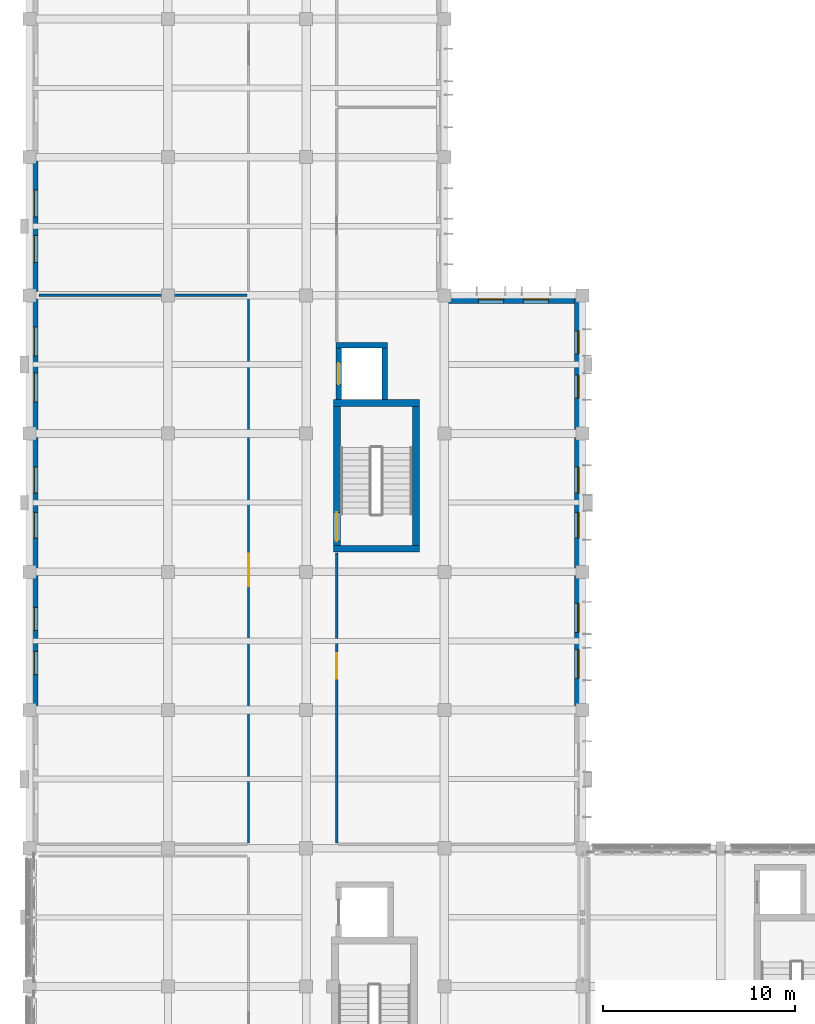
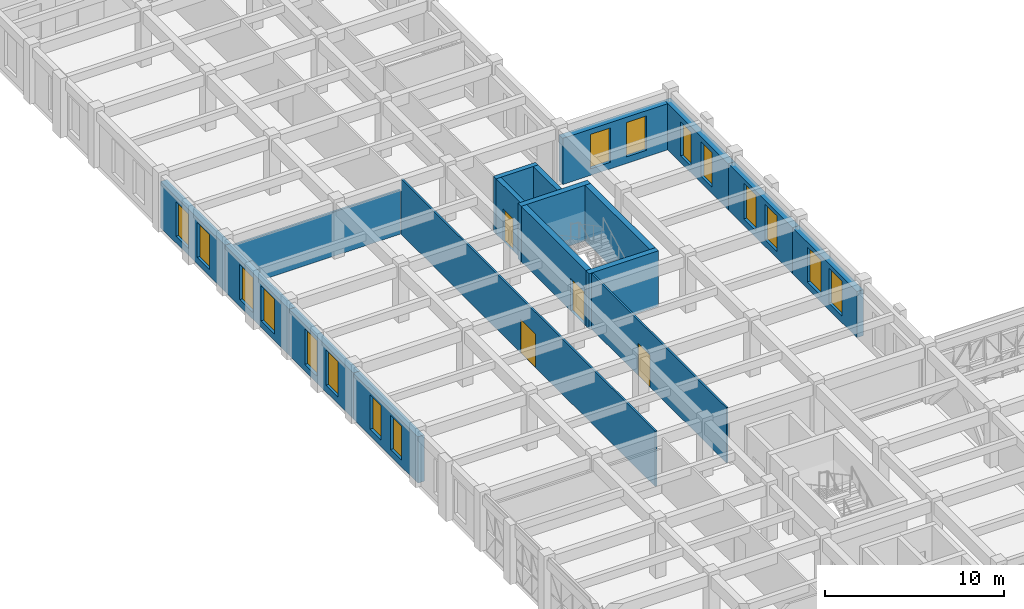
# One storey, part 46 of 88: 18 walls, 16 windows, 4 doors, 20 openings.
"""IFC4 building model written with IfcOpenShell, lengths in metres."""

from ifc_helpers import new_model, si_unit, direction, frame, frame_2d, origin, place, context, subcontext, project, spatial, rectangle, extrude, material, layer, layer_set, type_object, element, fill, save


model = new_model("IFC4")

# Units and contexts
model_context = context("Model", 3, precision=1e-05, world=origin(), true_north=direction((0.0, 1.0)))
body_context = subcontext(model_context, "Body", "Model", "MODEL_VIEW")
ifc_project = project(units=[si_unit("LENGTHUNIT", "METRE"), si_unit("AREAUNIT", "SQUARE_METRE"), si_unit("VOLUMEUNIT", "CUBIC_METRE"), si_unit("PLANEANGLEUNIT", "RADIAN"), si_unit("MASSUNIT", "GRAM", prefix="KILO")], contexts=[model_context])

# Site, building, storey
site_placement = place(None, origin())
site = spatial("IfcSite", under=ifc_project, at=site_placement, CompositionType="ELEMENT")
building_placement = place(site_placement, origin())
building = spatial("IfcBuilding", under=site, at=building_placement, Name="Alvorim Cloister Faculty of Sciences", CompositionType="ELEMENT")
storey_placement = place(building_placement, frame((0.0, 0.0, 4.5)))
storey = spatial("IfcBuildingStorey", under=building, at=storey_placement, Name="L01", CompositionType="ELEMENT", Elevation=4.5)

# Wall, openings, windows
ifc_material_1 = material(Name="Maua Grey Granite Stone", Category="masonry")
ifc_layer_1 = layer(ifc_material_1, 0.419921875)
ifc_layer_set_1 = layer_set([ifc_layer_1], Name="Maua Grey Granite Stone")
wall_type_1 = type_object("IfcWallType", Name="WL-EXT-GRN-420", PredefinedType="SOLIDWALL", material=ifc_layer_set_1)
wall_1_placement = place(storey_placement, frame((0.2099609375, 63.60009765625, 0.0), z_axis=(0.0, 0.0, 1.0), x_axis=(0.0, 1.0, 0.0)))
wall_1 = element("IfcWall", 1, at=wall_1_placement, inside=storey, type_object=wall_type_1, Name="L01 Exterior Wall WL-0108", PredefinedType="SOLIDWALL", context=body_context, shape_type="SweptSolid", body=[
    extrude(rectangle(XDim=7.199951171875, YDim=0.419921875, at=frame_2d((3.60009765625, 0.0))), origin(), (0.0, 0.0, 1.0), 3.159912109375),
])
opening_1_placement = place(wall_1_placement, frame((1.85009765625, 0.0, 0.449951171875)))
opening_1 = element("IfcOpeningElement", 2, at=opening_1_placement, cuts=wall_1, Name="Opening W-22", PredefinedType="OPENING", context=body_context, shape_type="SweptSolid", body=[
    extrude(rectangle(XDim=1.199951171875, YDim=2.35009765625, at=frame_2d((0.60009765625, 1.175048828125))), frame((0.0, 0.221923828125, 0.0), z_axis=(0.0, -1.0, 0.0), x_axis=(1.0, 0.0, 0.0)), (0.0, 0.0, 1.0), 0.44384765625),
])
opening_2_placement = place(wall_1_placement, frame((4.14990234375, 0.0, 0.449951171875)))
opening_2 = element("IfcOpeningElement", 3, at=opening_2_placement, cuts=wall_1, Name="Opening W-22", PredefinedType="OPENING", context=body_context, shape_type="SweptSolid", body=[
    extrude(rectangle(XDim=1.199951171875, YDim=2.35009765625, at=frame_2d((0.60009765625, 1.175048828125))), frame((0.0, 0.221923828125, 0.0), z_axis=(0.0, -1.0, 0.0), x_axis=(1.0, 0.0, 0.0)), (0.0, 0.0, 1.0), 0.44384765625),
])
ifc_material_2 = material(Name="Double Low-E Laminated Glass", Category="glass")
window_type_1 = type_object("IfcWindowType", Name="WN-OFF-1200x2350", PartitioningType="SINGLE_PANEL", PredefinedType="WINDOW", material=ifc_material_2)
window_1_placement = place(opening_1_placement, origin())
window_1 = element("IfcWindow", 4, at=window_1_placement, inside=storey, type_object=window_type_1, Name="L01 Gothic Lancet Window WN-0132", OverallHeight=2.35009765625, OverallWidth=1.199951171875, PartitioningType="SINGLE_PANEL", PredefinedType="WINDOW", context=body_context, shape_type="SweptSolid", body=[
    extrude(rectangle(XDim=1.199951171875, YDim=2.35009765625, at=frame_2d((0.60009765625, 1.175048828125))), frame((0.0, 0.030029296875, 0.0), z_axis=(0.0, -1.0, 0.0), x_axis=(1.0, 0.0, 0.0)), (0.0, 0.0, 1.0), 0.06005859375),
])
fill(opening_1, window_1)
window_2_placement = place(opening_2_placement, origin())
window_2 = element("IfcWindow", 5, at=window_2_placement, inside=storey, type_object=window_type_1, Name="L01 Gothic Lancet Window WN-0133", OverallHeight=2.35009765625, OverallWidth=1.199951171875, PartitioningType="SINGLE_PANEL", PredefinedType="WINDOW", context=body_context, shape_type="SweptSolid", body=[
    extrude(rectangle(XDim=1.199951171875, YDim=2.35009765625, at=frame_2d((0.60009765625, 1.175048828125))), frame((0.0, 0.030029296875, 0.0), z_axis=(0.0, -1.0, 0.0), x_axis=(1.0, 0.0, 0.0)), (0.0, 0.0, 1.0), 0.06005859375),
])
fill(opening_2, window_2)

wall_2_placement = place(storey_placement, frame((0.2099609375, 70.800048828125, 0.0), z_axis=(0.0, 0.0, 1.0), x_axis=(0.0, 1.0, 0.0)))
wall_2 = element("IfcWall", 6, at=wall_2_placement, inside=storey, type_object=wall_type_1, Name="L01 Exterior Wall WL-0109", PredefinedType="SOLIDWALL", context=body_context, shape_type="SweptSolid", body=[
    extrude(rectangle(XDim=7.199951171875, YDim=0.419921875, at=frame_2d((3.60009765625, 0.0))), origin(), (0.0, 0.0, 1.0), 3.159912109375),
])
opening_3_placement = place(wall_2_placement, frame((1.75, 0.0, 0.449951171875)))
opening_3 = element("IfcOpeningElement", 7, at=opening_3_placement, cuts=wall_2, Name="Opening W-18", PredefinedType="OPENING", context=body_context, shape_type="SweptSolid", body=[
    extrude(rectangle(XDim=1.35009765625, YDim=2.449951171875, at=frame_2d((0.675048828125, 1.22509765625))), frame((0.0, 0.221923828125, 0.0), z_axis=(0.0, -1.0, 0.0), x_axis=(1.0, 0.0, 0.0)), (0.0, 0.0, 1.0), 0.44384765625),
])
opening_4_placement = place(wall_2_placement, frame((4.10009765625, 0.0, 0.449951171875)))
opening_4 = element("IfcOpeningElement", 8, at=opening_4_placement, cuts=wall_2, Name="Opening W-18", PredefinedType="OPENING", context=body_context, shape_type="SweptSolid", body=[
    extrude(rectangle(XDim=1.35009765625, YDim=2.449951171875, at=frame_2d((0.675048828125, 1.22509765625))), frame((0.0, 0.221923828125, 0.0), z_axis=(0.0, -1.0, 0.0), x_axis=(1.0, 0.0, 0.0)), (0.0, 0.0, 1.0), 0.44384765625),
])
window_type_2 = type_object("IfcWindowType", Name="WN-LAB-1350x2450", PartitioningType="SINGLE_PANEL", PredefinedType="WINDOW", material=ifc_material_2)
window_3_placement = place(opening_3_placement, origin())
window_3 = element("IfcWindow", 9, at=window_3_placement, inside=storey, type_object=window_type_2, Name="L01 Gothic Lancet Window WN-0134", OverallHeight=2.449951171875, OverallWidth=1.35009765625, PartitioningType="SINGLE_PANEL", PredefinedType="WINDOW", context=body_context, shape_type="SweptSolid", body=[
    extrude(rectangle(XDim=1.35009765625, YDim=2.449951171875, at=frame_2d((0.675048828125, 1.22509765625))), frame((0.0, 0.030029296875, 0.0), z_axis=(0.0, -1.0, 0.0), x_axis=(1.0, 0.0, 0.0)), (0.0, 0.0, 1.0), 0.06005859375),
])
fill(opening_3, window_3)
window_4_placement = place(opening_4_placement, origin())
window_4 = element("IfcWindow", 10, at=window_4_placement, inside=storey, type_object=window_type_2, Name="L01 Gothic Lancet Window WN-0135", OverallHeight=2.449951171875, OverallWidth=1.35009765625, PartitioningType="SINGLE_PANEL", PredefinedType="WINDOW", context=body_context, shape_type="SweptSolid", body=[
    extrude(rectangle(XDim=1.35009765625, YDim=2.449951171875, at=frame_2d((0.675048828125, 1.22509765625))), frame((0.0, 0.030029296875, 0.0), z_axis=(0.0, -1.0, 0.0), x_axis=(1.0, 0.0, 0.0)), (0.0, 0.0, 1.0), 0.06005859375),
])
fill(opening_4, window_4)

wall_3_placement = place(storey_placement, frame((0.2099609375, 78.0, 0.0), z_axis=(0.0, 0.0, 1.0), x_axis=(0.0, 1.0, 0.0)))
wall_3 = element("IfcWall", 11, at=wall_3_placement, inside=storey, type_object=wall_type_1, Name="L01 Exterior Wall WL-0110", PredefinedType="SOLIDWALL", context=body_context, shape_type="SweptSolid", body=[
    extrude(rectangle(XDim=7.199951171875, YDim=0.419921875, at=frame_2d((3.60009765625, 0.0))), origin(), (0.0, 0.0, 1.0), 3.159912109375),
])
opening_5_placement = place(wall_3_placement, frame((1.64990234375, 0.0, 0.449951171875)))
opening_5 = element("IfcOpeningElement", 12, at=opening_5_placement, cuts=wall_3, Name="Opening W-19", PredefinedType="OPENING", context=body_context, shape_type="SweptSolid", body=[
    extrude(rectangle(XDim=1.5, YDim=2.39990234375, at=frame_2d((0.75, 1.199951171875))), frame((0.0, 0.221923828125, 0.0), z_axis=(0.0, -1.0, 0.0), x_axis=(1.0, 0.0, 0.0)), (0.0, 0.0, 1.0), 0.44384765625),
])
opening_6_placement = place(wall_3_placement, frame((4.050048828125, 0.0, 0.449951171875)))
opening_6 = element("IfcOpeningElement", 13, at=opening_6_placement, cuts=wall_3, Name="Opening W-19", PredefinedType="OPENING", context=body_context, shape_type="SweptSolid", body=[
    extrude(rectangle(XDim=1.5, YDim=2.39990234375, at=frame_2d((0.75, 1.199951171875))), frame((0.0, 0.221923828125, 0.0), z_axis=(0.0, -1.0, 0.0), x_axis=(1.0, 0.0, 0.0)), (0.0, 0.0, 1.0), 0.44384765625),
])
window_type_3 = type_object("IfcWindowType", Name="WN-OFF-1500x2400", PartitioningType="SINGLE_PANEL", PredefinedType="WINDOW", material=ifc_material_2)
window_5_placement = place(opening_5_placement, origin())
window_5 = element("IfcWindow", 14, at=window_5_placement, inside=storey, type_object=window_type_3, Name="L01 Gothic Lancet Window WN-0136", OverallHeight=2.39990234375, OverallWidth=1.5, PartitioningType="SINGLE_PANEL", PredefinedType="WINDOW", context=body_context, shape_type="SweptSolid", body=[
    extrude(rectangle(XDim=1.5, YDim=2.39990234375, at=frame_2d((0.75, 1.199951171875))), frame((0.0, 0.030029296875, 0.0), z_axis=(0.0, -1.0, 0.0), x_axis=(1.0, 0.0, 0.0)), (0.0, 0.0, 1.0), 0.06005859375),
])
fill(opening_5, window_5)
window_6_placement = place(opening_6_placement, origin())
window_6 = element("IfcWindow", 15, at=window_6_placement, inside=storey, type_object=window_type_3, Name="L01 Gothic Lancet Window WN-0137", OverallHeight=2.39990234375, OverallWidth=1.5, PartitioningType="SINGLE_PANEL", PredefinedType="WINDOW", context=body_context, shape_type="SweptSolid", body=[
    extrude(rectangle(XDim=1.5, YDim=2.39990234375, at=frame_2d((0.75, 1.199951171875))), frame((0.0, 0.030029296875, 0.0), z_axis=(0.0, -1.0, 0.0), x_axis=(1.0, 0.0, 0.0)), (0.0, 0.0, 1.0), 0.06005859375),
])
fill(opening_6, window_6)

wall_4_placement = place(storey_placement, frame((0.2099609375, 85.199951171875, 0.0), z_axis=(0.0, 0.0, 1.0), x_axis=(0.0, 1.0, 0.0)))
wall_4 = element("IfcWall", 16, at=wall_4_placement, inside=storey, type_object=wall_type_1, Name="L01 Exterior Wall WL-0111", PredefinedType="SOLIDWALL", context=body_context, shape_type="SweptSolid", body=[
    extrude(rectangle(XDim=7.199951171875, YDim=0.419921875, at=frame_2d((3.60009765625, 0.0))), origin(), (0.0, 0.0, 1.0), 3.159912109375),
])
opening_7_placement = place(wall_4_placement, frame((1.716796875, 0.0, 0.449951171875)))
opening_7 = element("IfcOpeningElement", 17, at=opening_7_placement, cuts=wall_4, Name="Opening W-20", PredefinedType="OPENING", context=body_context, shape_type="SweptSolid", body=[
    extrude(rectangle(XDim=1.39990234375, YDim=2.3798828125, at=frame_2d((0.699951171875, 1.18994140625))), frame((0.0, 0.221923828125, 0.0), z_axis=(0.0, -1.0, 0.0), x_axis=(1.0, 0.0, 0.0)), (0.0, 0.0, 1.0), 0.44384765625),
])
opening_8_placement = place(wall_4_placement, frame((4.083251953125, 0.0, 0.449951171875)))
opening_8 = element("IfcOpeningElement", 18, at=opening_8_placement, cuts=wall_4, Name="Opening W-20", PredefinedType="OPENING", context=body_context, shape_type="SweptSolid", body=[
    extrude(rectangle(XDim=1.39990234375, YDim=2.3798828125, at=frame_2d((0.699951171875, 1.18994140625))), frame((0.0, 0.221923828125, 0.0), z_axis=(0.0, -1.0, 0.0), x_axis=(1.0, 0.0, 0.0)), (0.0, 0.0, 1.0), 0.44384765625),
])
window_type_4 = type_object("IfcWindowType", Name="WN-OFF-1400x2380", PartitioningType="SINGLE_PANEL", PredefinedType="WINDOW", material=ifc_material_2)
window_7_placement = place(opening_7_placement, origin())
window_7 = element("IfcWindow", 19, at=window_7_placement, inside=storey, type_object=window_type_4, Name="L01 Gothic Lancet Window WN-0138", OverallHeight=2.3798828125, OverallWidth=1.39990234375, PartitioningType="SINGLE_PANEL", PredefinedType="WINDOW", context=body_context, shape_type="SweptSolid", body=[
    extrude(rectangle(XDim=1.39990234375, YDim=2.3798828125, at=frame_2d((0.699951171875, 1.18994140625))), frame((0.0, 0.030029296875, 0.0), z_axis=(0.0, -1.0, 0.0), x_axis=(1.0, 0.0, 0.0)), (0.0, 0.0, 1.0), 0.06005859375),
])
fill(opening_7, window_7)
window_8_placement = place(opening_8_placement, origin())
window_8 = element("IfcWindow", 20, at=window_8_placement, inside=storey, type_object=window_type_4, Name="L01 Gothic Lancet Window WN-0139", OverallHeight=2.3798828125, OverallWidth=1.39990234375, PartitioningType="SINGLE_PANEL", PredefinedType="WINDOW", context=body_context, shape_type="SweptSolid", body=[
    extrude(rectangle(XDim=1.39990234375, YDim=2.3798828125, at=frame_2d((0.699951171875, 1.18994140625))), frame((0.0, 0.030029296875, 0.0), z_axis=(0.0, -1.0, 0.0), x_axis=(1.0, 0.0, 0.0)), (0.0, 0.0, 1.0), 0.06005859375),
])
fill(opening_8, window_8)

wall_5_placement = place(storey_placement, frame((21.60009765625, 84.989990234375, 0.0), z_axis=(0.0, 0.0, 1.0), x_axis=(1.0, 0.0, 0.0)))
wall_5 = element("IfcWall", 21, at=wall_5_placement, inside=storey, type_object=wall_type_1, Name="L01 Exterior Wall WL-0122", PredefinedType="SOLIDWALL", context=body_context, shape_type="SweptSolid", body=[
    extrude(rectangle(XDim=7.199951171875, YDim=0.419921875, at=frame_2d((3.60009765625, 0.0))), origin(), (0.0, 0.0, 1.0), 3.159912109375),
])
opening_9_placement = place(wall_5_placement, frame((1.783203125, 0.0, 0.449951171875)))
opening_9 = element("IfcOpeningElement", 22, at=opening_9_placement, cuts=wall_5, Name="Opening W-21", PredefinedType="OPENING", context=body_context, shape_type="SweptSolid", body=[
    extrude(rectangle(XDim=1.300048828125, YDim=2.35009765625, at=frame_2d((0.64990234375, 1.175048828125))), frame((0.0, 0.221923828125, 0.0), z_axis=(0.0, -1.0, 0.0), x_axis=(1.0, 0.0, 0.0)), (0.0, 0.0, 1.0), 0.44384765625),
])
opening_10_placement = place(wall_5_placement, frame((4.11669921875, 0.0, 0.449951171875)))
opening_10 = element("IfcOpeningElement", 23, at=opening_10_placement, cuts=wall_5, Name="Opening W-21", PredefinedType="OPENING", context=body_context, shape_type="SweptSolid", body=[
    extrude(rectangle(XDim=1.300048828125, YDim=2.35009765625, at=frame_2d((0.64990234375, 1.175048828125))), frame((0.0, 0.221923828125, 0.0), z_axis=(0.0, -1.0, 0.0), x_axis=(1.0, 0.0, 0.0)), (0.0, 0.0, 1.0), 0.44384765625),
])
window_type_5 = type_object("IfcWindowType", Name="WN-OFF-1300x2350", PartitioningType="SINGLE_PANEL", PredefinedType="WINDOW", material=ifc_material_2)
window_9_placement = place(opening_9_placement, origin())
window_9 = element("IfcWindow", 24, at=window_9_placement, inside=storey, type_object=window_type_5, Name="L01 Gothic Lancet Window WN-0159", OverallHeight=2.35009765625, OverallWidth=1.300048828125, PartitioningType="SINGLE_PANEL", PredefinedType="WINDOW", context=body_context, shape_type="SweptSolid", body=[
    extrude(rectangle(XDim=1.300048828125, YDim=2.35009765625, at=frame_2d((0.64990234375, 1.175048828125))), frame((0.0, 0.030029296875, 0.0), z_axis=(0.0, -1.0, 0.0), x_axis=(1.0, 0.0, 0.0)), (0.0, 0.0, 1.0), 0.06005859375),
])
fill(opening_9, window_9)
window_10_placement = place(opening_10_placement, origin())
window_10 = element("IfcWindow", 25, at=window_10_placement, inside=storey, type_object=window_type_5, Name="L01 Gothic Lancet Window WN-0160", OverallHeight=2.35009765625, OverallWidth=1.300048828125, PartitioningType="SINGLE_PANEL", PredefinedType="WINDOW", context=body_context, shape_type="SweptSolid", body=[
    extrude(rectangle(XDim=1.300048828125, YDim=2.35009765625, at=frame_2d((0.64990234375, 1.175048828125))), frame((0.0, 0.030029296875, 0.0), z_axis=(0.0, -1.0, 0.0), x_axis=(1.0, 0.0, 0.0)), (0.0, 0.0, 1.0), 0.06005859375),
])
fill(opening_10, window_10)

wall_6_placement = place(storey_placement, frame((28.590087890625, 78.0, 0.0), z_axis=(0.0, 0.0, 1.0), x_axis=(0.0, 1.0, 0.0)))
wall_6 = element("IfcWall", 26, at=wall_6_placement, inside=storey, type_object=wall_type_1, Name="L01 Exterior Wall WL-0123", PredefinedType="SOLIDWALL", context=body_context, shape_type="SweptSolid", body=[
    extrude(rectangle(XDim=7.199951171875, YDim=0.419921875, at=frame_2d((3.60009765625, 0.0))), origin(), (0.0, 0.0, 1.0), 3.159912109375),
])
opening_11_placement = place(wall_6_placement, frame((1.85009765625, 0.0, 0.449951171875)))
opening_11 = element("IfcOpeningElement", 27, at=opening_11_placement, cuts=wall_6, Name="Opening W-22", PredefinedType="OPENING", context=body_context, shape_type="SweptSolid", body=[
    extrude(rectangle(XDim=1.199951171875, YDim=2.35009765625, at=frame_2d((0.60009765625, 1.175048828125))), frame((0.0, 0.221923828125, 0.0), z_axis=(0.0, -1.0, 0.0), x_axis=(1.0, 0.0, 0.0)), (0.0, 0.0, 1.0), 0.44384765625),
])
opening_12_placement = place(wall_6_placement, frame((4.14990234375, 0.0, 0.449951171875)))
opening_12 = element("IfcOpeningElement", 28, at=opening_12_placement, cuts=wall_6, Name="Opening W-22", PredefinedType="OPENING", context=body_context, shape_type="SweptSolid", body=[
    extrude(rectangle(XDim=1.199951171875, YDim=2.35009765625, at=frame_2d((0.60009765625, 1.175048828125))), frame((0.0, 0.221923828125, 0.0), z_axis=(0.0, -1.0, 0.0), x_axis=(1.0, 0.0, 0.0)), (0.0, 0.0, 1.0), 0.44384765625),
])
window_11_placement = place(opening_11_placement, origin())
window_11 = element("IfcWindow", 29, at=window_11_placement, inside=storey, type_object=window_type_1, Name="L01 Gothic Lancet Window WN-0161", OverallHeight=2.35009765625, OverallWidth=1.199951171875, PartitioningType="SINGLE_PANEL", PredefinedType="WINDOW", context=body_context, shape_type="SweptSolid", body=[
    extrude(rectangle(XDim=1.199951171875, YDim=2.35009765625, at=frame_2d((0.60009765625, 1.175048828125))), frame((0.0, 0.030029296875, 0.0), z_axis=(0.0, -1.0, 0.0), x_axis=(1.0, 0.0, 0.0)), (0.0, 0.0, 1.0), 0.06005859375),
])
fill(opening_11, window_11)
window_12_placement = place(opening_12_placement, origin())
window_12 = element("IfcWindow", 30, at=window_12_placement, inside=storey, type_object=window_type_1, Name="L01 Gothic Lancet Window WN-0162", OverallHeight=2.35009765625, OverallWidth=1.199951171875, PartitioningType="SINGLE_PANEL", PredefinedType="WINDOW", context=body_context, shape_type="SweptSolid", body=[
    extrude(rectangle(XDim=1.199951171875, YDim=2.35009765625, at=frame_2d((0.60009765625, 1.175048828125))), frame((0.0, 0.030029296875, 0.0), z_axis=(0.0, -1.0, 0.0), x_axis=(1.0, 0.0, 0.0)), (0.0, 0.0, 1.0), 0.06005859375),
])
fill(opening_12, window_12)

wall_7_placement = place(storey_placement, frame((28.590087890625, 70.800048828125, 0.0), z_axis=(0.0, 0.0, 1.0), x_axis=(0.0, 1.0, 0.0)))
wall_7 = element("IfcWall", 31, at=wall_7_placement, inside=storey, type_object=wall_type_1, Name="L01 Exterior Wall WL-0124", PredefinedType="SOLIDWALL", context=body_context, shape_type="SweptSolid", body=[
    extrude(rectangle(XDim=7.199951171875, YDim=0.419921875, at=frame_2d((3.60009765625, 0.0))), origin(), (0.0, 0.0, 1.0), 3.159912109375),
])
opening_13_placement = place(wall_7_placement, frame((1.75, 0.0, 0.449951171875)))
opening_13 = element("IfcOpeningElement", 32, at=opening_13_placement, cuts=wall_7, Name="Opening W-18", PredefinedType="OPENING", context=body_context, shape_type="SweptSolid", body=[
    extrude(rectangle(XDim=1.35009765625, YDim=2.449951171875, at=frame_2d((0.675048828125, 1.22509765625))), frame((0.0, 0.221923828125, 0.0), z_axis=(0.0, -1.0, 0.0), x_axis=(1.0, 0.0, 0.0)), (0.0, 0.0, 1.0), 0.44384765625),
])
opening_14_placement = place(wall_7_placement, frame((4.10009765625, 0.0, 0.449951171875)))
opening_14 = element("IfcOpeningElement", 33, at=opening_14_placement, cuts=wall_7, Name="Opening W-18", PredefinedType="OPENING", context=body_context, shape_type="SweptSolid", body=[
    extrude(rectangle(XDim=1.35009765625, YDim=2.449951171875, at=frame_2d((0.675048828125, 1.22509765625))), frame((0.0, 0.221923828125, 0.0), z_axis=(0.0, -1.0, 0.0), x_axis=(1.0, 0.0, 0.0)), (0.0, 0.0, 1.0), 0.44384765625),
])
window_13_placement = place(opening_13_placement, origin())
window_13 = element("IfcWindow", 34, at=window_13_placement, inside=storey, type_object=window_type_2, Name="L01 Gothic Lancet Window WN-0163", OverallHeight=2.449951171875, OverallWidth=1.35009765625, PartitioningType="SINGLE_PANEL", PredefinedType="WINDOW", context=body_context, shape_type="SweptSolid", body=[
    extrude(rectangle(XDim=1.35009765625, YDim=2.449951171875, at=frame_2d((0.675048828125, 1.22509765625))), frame((0.0, 0.030029296875, 0.0), z_axis=(0.0, -1.0, 0.0), x_axis=(1.0, 0.0, 0.0)), (0.0, 0.0, 1.0), 0.06005859375),
])
fill(opening_13, window_13)
window_14_placement = place(opening_14_placement, origin())
window_14 = element("IfcWindow", 35, at=window_14_placement, inside=storey, type_object=window_type_2, Name="L01 Gothic Lancet Window WN-0164", OverallHeight=2.449951171875, OverallWidth=1.35009765625, PartitioningType="SINGLE_PANEL", PredefinedType="WINDOW", context=body_context, shape_type="SweptSolid", body=[
    extrude(rectangle(XDim=1.35009765625, YDim=2.449951171875, at=frame_2d((0.675048828125, 1.22509765625))), frame((0.0, 0.030029296875, 0.0), z_axis=(0.0, -1.0, 0.0), x_axis=(1.0, 0.0, 0.0)), (0.0, 0.0, 1.0), 0.06005859375),
])
fill(opening_14, window_14)

wall_8_placement = place(storey_placement, frame((28.590087890625, 63.60009765625, 0.0), z_axis=(0.0, 0.0, 1.0), x_axis=(0.0, 1.0, 0.0)))
wall_8 = element("IfcWall", 36, at=wall_8_placement, inside=storey, type_object=wall_type_1, Name="L01 Exterior Wall WL-0125", PredefinedType="SOLIDWALL", context=body_context, shape_type="SweptSolid", body=[
    extrude(rectangle(XDim=7.199951171875, YDim=0.419921875, at=frame_2d((3.60009765625, 0.0))), origin(), (0.0, 0.0, 1.0), 3.159912109375),
])
opening_15_placement = place(wall_8_placement, frame((1.64990234375, 0.0, 0.449951171875)))
opening_15 = element("IfcOpeningElement", 37, at=opening_15_placement, cuts=wall_8, Name="Opening W-19", PredefinedType="OPENING", context=body_context, shape_type="SweptSolid", body=[
    extrude(rectangle(XDim=1.5, YDim=2.39990234375, at=frame_2d((0.75, 1.199951171875))), frame((0.0, 0.221923828125, 0.0), z_axis=(0.0, -1.0, 0.0), x_axis=(1.0, 0.0, 0.0)), (0.0, 0.0, 1.0), 0.44384765625),
])
opening_16_placement = place(wall_8_placement, frame((4.050048828125, 0.0, 0.449951171875)))
opening_16 = element("IfcOpeningElement", 38, at=opening_16_placement, cuts=wall_8, Name="Opening W-19", PredefinedType="OPENING", context=body_context, shape_type="SweptSolid", body=[
    extrude(rectangle(XDim=1.5, YDim=2.39990234375, at=frame_2d((0.75, 1.199951171875))), frame((0.0, 0.221923828125, 0.0), z_axis=(0.0, -1.0, 0.0), x_axis=(1.0, 0.0, 0.0)), (0.0, 0.0, 1.0), 0.44384765625),
])
window_15_placement = place(opening_15_placement, origin())
window_15 = element("IfcWindow", 39, at=window_15_placement, inside=storey, type_object=window_type_3, Name="L01 Gothic Lancet Window WN-0165", OverallHeight=2.39990234375, OverallWidth=1.5, PartitioningType="SINGLE_PANEL", PredefinedType="WINDOW", context=body_context, shape_type="SweptSolid", body=[
    extrude(rectangle(XDim=1.5, YDim=2.39990234375, at=frame_2d((0.75, 1.199951171875))), frame((0.0, 0.030029296875, 0.0), z_axis=(0.0, -1.0, 0.0), x_axis=(1.0, 0.0, 0.0)), (0.0, 0.0, 1.0), 0.06005859375),
])
fill(opening_15, window_15)
window_16_placement = place(opening_16_placement, origin())
window_16 = element("IfcWindow", 40, at=window_16_placement, inside=storey, type_object=window_type_3, Name="L01 Gothic Lancet Window WN-0166", OverallHeight=2.39990234375, OverallWidth=1.5, PartitioningType="SINGLE_PANEL", PredefinedType="WINDOW", context=body_context, shape_type="SweptSolid", body=[
    extrude(rectangle(XDim=1.5, YDim=2.39990234375, at=frame_2d((0.75, 1.199951171875))), frame((0.0, 0.030029296875, 0.0), z_axis=(0.0, -1.0, 0.0), x_axis=(1.0, 0.0, 0.0)), (0.0, 0.0, 1.0), 0.06005859375),
])
fill(opening_16, window_16)

# Wall, opening, door
ifc_material_3 = material(Name="Acoustic Gypsum Stud Partition", Category="gypsum")
ifc_layer_2 = layer(ifc_material_3, 0.1201171875)
ifc_layer_set_2 = layer_set([ifc_layer_2], Name="Acoustic Gypsum Stud Partition")
wall_type_2 = type_object("IfcWallType", Name="WL-PRT-120", PredefinedType="PARTITIONING", material=ifc_layer_set_2)
wall_9_placement = place(storey_placement, frame((11.39990234375, 56.679931640625, 0.0), z_axis=(0.0, 0.0, 1.0), x_axis=(0.0, 1.0, 0.0)))
wall_9 = element("IfcWall", 41, at=wall_9_placement, inside=storey, type_object=wall_type_2, Name="L01 Periodicals and Reference Reading Room Partition IWL-0521", PredefinedType="PARTITIONING", context=body_context, shape_type="SweptSolid", body=[
    extrude(rectangle(XDim=28.440185546875, YDim=0.1201171875, at=frame_2d((14.22021484375, 0.0))), origin(), (0.0, 0.0, 1.0), 3.77490234375),
])
opening_17_placement = place(wall_9_placement, frame((13.3701171875, 0.0, 0.0)))
opening_17 = element("IfcOpeningElement", 42, at=opening_17_placement, cuts=wall_9, Name="Opening D-L01-111", PredefinedType="OPENING", context=body_context, shape_type="SweptSolid", body=[
    extrude(rectangle(XDim=1.699951171875, YDim=2.280029296875, at=frame_2d((0.85009765625, 1.14013671875))), frame((0.0, 0.072021484375, 0.0), z_axis=(0.0, -1.0, 0.0), x_axis=(1.0, 0.0, 0.0)), (0.0, 0.0, 1.0), 0.14404296875),
])
ifc_material_4 = material(Name="Solid Acoustic Oak Timber", Category="wood")
door_type_1 = type_object("IfcDoorType", Name="DR-HALL-1700x2280", OperationType="NOTDEFINED", PredefinedType="DOOR", material=ifc_material_4)
door_1_placement = place(opening_17_placement, origin())
door_1 = element("IfcDoor", 43, at=door_1_placement, inside=storey, type_object=door_type_1, Name="Periodicals and Reference Reading Room Door D-L01-111", OperationType="DOUBLE_DOOR_SINGLE_SWING", OverallHeight=2.280029296875, OverallWidth=1.699951171875, PredefinedType="DOOR", context=body_context, shape_type="SweptSolid", body=[
    extrude(rectangle(XDim=1.699951171875, YDim=2.280029296875, at=frame_2d((0.85009765625, 1.14013671875))), frame((0.0, 0.02490234375, 0.0), z_axis=(0.0, -1.0, 0.0), x_axis=(1.0, 0.0, 0.0)), (0.0, 0.0, 1.0), 0.050048828125),
])
fill(opening_17, door_1)

# Wall
wall_10_placement = place(storey_placement, frame((0.47998046875, 85.199951171875, 0.0), z_axis=(0.0, 0.0, 1.0), x_axis=(1.0, 0.0, 0.0)))
element("IfcWall", 44, at=wall_10_placement, inside=storey, type_object=wall_type_2, Name="L01 Periodicals and Reference Reading Room Partition IWL-0522", PredefinedType="PARTITIONING", context=body_context, shape_type="SweptSolid", body=[
    extrude(rectangle(XDim=10.840087890625, YDim=0.1201171875, at=frame_2d((5.419921875, 0.0))), origin(), (0.0, 0.0, 1.0), 3.02490234375),
])

# Wall, opening, door
wall_11_placement = place(storey_placement, frame((16.0, 56.679931640625, 0.0), z_axis=(0.0, 0.0, 1.0), x_axis=(0.0, 1.0, 0.0)))
wall_11 = element("IfcWall", 45, at=wall_11_placement, inside=storey, type_object=wall_type_2, Name="L01 Group Study Suites 105-108 Partition IWL-0524", PredefinedType="PARTITIONING", context=body_context, shape_type="SweptSolid", body=[
    extrude(rectangle(XDim=15.10009765625, YDim=0.1201171875, at=frame_2d((7.550048828125, 0.0))), origin(), (0.0, 0.0, 1.0), 3.77490234375),
])
opening_18_placement = place(wall_11_placement, frame((8.5576171875, 0.0, 0.0)))
opening_18 = element("IfcOpeningElement", 46, at=opening_18_placement, cuts=wall_11, Name="Opening D-L01-113", PredefinedType="OPENING", context=body_context, shape_type="SweptSolid", body=[
    extrude(rectangle(XDim=1.320068359375, YDim=2.199951171875, at=frame_2d((0.66015625, 1.10009765625))), frame((0.0, 0.072021484375, 0.0), z_axis=(0.0, -1.0, 0.0), x_axis=(1.0, 0.0, 0.0)), (0.0, 0.0, 1.0), 0.14404296875),
])
door_type_2 = type_object("IfcDoorType", Name="DR-SEM-1320x2200", OperationType="NOTDEFINED", PredefinedType="DOOR", material=ifc_material_4)
door_2_placement = place(opening_18_placement, origin())
door_2 = element("IfcDoor", 47, at=door_2_placement, inside=storey, type_object=door_type_2, Name="Group Study Suites 105-108 Door D-L01-113", OperationType="SINGLE_SWING_LEFT", OverallHeight=2.199951171875, OverallWidth=1.320068359375, PredefinedType="DOOR", context=body_context, shape_type="SweptSolid", body=[
    extrude(rectangle(XDim=1.320068359375, YDim=2.199951171875, at=frame_2d((0.66015625, 1.10009765625))), frame((0.0, 0.02490234375, 0.0), z_axis=(0.0, -1.0, 0.0), x_axis=(1.0, 0.0, 0.0)), (0.0, 0.0, 1.0), 0.050048828125),
])
fill(opening_18, door_2)

# Wall
ifc_material_5 = material(Name="Concrete C40", Category="concrete")
ifc_layer_3 = layer(ifc_material_5, 0.300048828125)
ifc_layer_set_3 = layer_set([ifc_layer_3], Name="Concrete C40")
wall_type_3 = type_object("IfcWallType", Name="WL-SHR-300", PredefinedType="SHEAR", material=ifc_layer_set_3)
wall_12_placement = place(storey_placement, frame((15.949951171875, 82.60009765625, 0.0), z_axis=(0.0, 0.0, 1.0), x_axis=(1.0, 0.0, 0.0)))
element("IfcWall", 48, at=wall_12_placement, inside=storey, type_object=wall_type_3, Name="L01 Lift LP-05 Shaft Wall IWL-0368", PredefinedType="SHEAR", context=body_context, shape_type="SweptSolid", body=[
    extrude(rectangle(XDim=2.699951171875, YDim=0.300048828125, at=frame_2d((1.35009765625, 0.0))), origin(), (0.0, 0.0, 1.0), 3.7900390625),
])

# Wall, opening, door
wall_13_placement = place(storey_placement, frame((16.10009765625, 79.780029296875, 0.0), z_axis=(0.0, 0.0, 1.0), x_axis=(0.0, 1.0, 0.0)))
wall_13 = element("IfcWall", 49, at=wall_13_placement, inside=storey, type_object=wall_type_3, Name="L01 Lift LP-05 Shaft Wall IWL-0369", PredefinedType="SHEAR", context=body_context, shape_type="SweptSolid", body=[
    extrude(rectangle(XDim=2.669921875, YDim=0.300048828125, at=frame_2d((1.3349609375, 0.0))), origin(), (0.0, 0.0, 1.0), 3.7900390625),
])
opening_19_placement = place(wall_13_placement, frame((0.784912109375, 0.0, 0.0)))
opening_19 = element("IfcOpeningElement", 50, at=opening_19_placement, cuts=wall_13, Name="Opening LD-053", PredefinedType="OPENING", context=body_context, shape_type="SweptSolid", body=[
    extrude(rectangle(XDim=1.10009765625, YDim=2.199951171875, at=frame_2d((0.550048828125, 1.10009765625))), frame((0.0, 0.162109375, 0.0), z_axis=(0.0, -1.0, 0.0), x_axis=(1.0, 0.0, 0.0)), (0.0, 0.0, 1.0), 0.323974609375),
])
ifc_material_6 = material(Name="Brushed Stainless Steel", Category="steel")
door_type_3 = type_object("IfcDoorType", Name="DR-LFT-1100x2200", OperationType="NOTDEFINED", PredefinedType="DOOR", material=ifc_material_6)
door_3_placement = place(opening_19_placement, origin())
door_3 = element("IfcDoor", 51, at=door_3_placement, inside=storey, type_object=door_type_3, Name="L01 Lift LP-05 Sliding Landing Door LD-053", OperationType="DOUBLE_DOOR_SLIDING", OverallHeight=2.199951171875, OverallWidth=1.10009765625, PredefinedType="DOOR", context=body_context, shape_type="SweptSolid", body=[
    extrude(rectangle(XDim=1.10009765625, YDim=2.199951171875, at=frame_2d((0.550048828125, 1.10009765625))), frame((0.0, 0.02490234375, 0.0), z_axis=(0.0, -1.0, 0.0), x_axis=(1.0, 0.0, 0.0)), (0.0, 0.0, 1.0), 0.050048828125),
])
fill(opening_19, door_3)

# Walls
wall_14_placement = place(storey_placement, frame((18.5, 79.780029296875, 0.0), z_axis=(0.0, 0.0, 1.0), x_axis=(0.0, 1.0, 0.0)))
element("IfcWall", 52, at=wall_14_placement, inside=storey, type_object=wall_type_3, Name="L01 Lift LP-05 Shaft Wall IWL-0370", PredefinedType="SHEAR", context=body_context, shape_type="SweptSolid", body=[
    extrude(rectangle(XDim=2.669921875, YDim=0.300048828125, at=frame_2d((1.3349609375, 0.0))), origin(), (0.0, 0.0, 1.0), 3.7900390625),
])
ifc_layer_4 = layer(ifc_material_5, 0.360107421875)
ifc_layer_set_4 = layer_set([ifc_layer_4], Name="Concrete C40")
wall_type_4 = type_object("IfcWallType", Name="WL-SHR-360", PredefinedType="SHEAR", material=ifc_layer_set_4)
for number, where, z_axis, x_axis, name in (
    (53, (15.820068359375, 72.0, 0.0), (0.0, 0.0, 1.0), (1.0, 0.0, 0.0), "L01 CORE K5 Shear Wall IWL-0169"),
    (54, (15.820068359375, 79.60009765625, 0.0), (0.0, 0.0, 1.0), (1.0, 0.0, 0.0), "L01 CORE K5 Shear Wall IWL-0170"),
):
    element("IfcWall", number, at=place(storey_placement, frame(where, z_axis=z_axis, x_axis=x_axis)), inside=storey, type_object=wall_type_4, Name=name, PredefinedType="SHEAR", context=body_context, shape_type="SweptSolid", body=[
        extrude(rectangle(XDim=4.47998046875, YDim=0.360107421875, at=frame_2d((2.239990234375, 0.0))), origin(), (0.0, 0.0, 1.0), 3.7900390625),
    ])

# Wall, opening, door
wall_15_placement = place(storey_placement, frame((16.0, 72.179931640625, 0.0), z_axis=(0.0, 0.0, 1.0), x_axis=(0.0, 1.0, 0.0)))
wall_15 = element("IfcWall", 55, at=wall_15_placement, inside=storey, type_object=wall_type_4, Name="L01 CORE K5 Shear Wall IWL-0171", PredefinedType="SHEAR", context=body_context, shape_type="SweptSolid", body=[
    extrude(rectangle(XDim=7.239990234375, YDim=0.360107421875, at=frame_2d((3.6201171875, 0.0))), origin(), (0.0, 0.0, 1.0), 3.7900390625),
])
opening_20_placement = place(wall_15_placement, frame((0.219970703125, 0.0, 0.0)))
opening_20 = element("IfcOpeningElement", 56, at=opening_20_placement, cuts=wall_15, Name="Opening SD-K5-L01", PredefinedType="OPENING", context=body_context, shape_type="SweptSolid", body=[
    extrude(rectangle(XDim=1.5, YDim=2.199951171875, at=frame_2d((0.75, 1.10009765625))), frame((0.0, 0.19189453125, 0.0), z_axis=(0.0, -1.0, 0.0), x_axis=(1.0, 0.0, 0.0)), (0.0, 0.0, 1.0), 0.384033203125),
])
ifc_material_7 = material(Name="Galvanised Fire-Rated Steel", Category="steel")
door_type_4 = type_object("IfcDoorType", Name="DR-STR-1500x2200", OperationType="NOTDEFINED", PredefinedType="DOOR", material=ifc_material_7)
door_4_placement = place(opening_20_placement, origin())
door_4 = element("IfcDoor", 57, at=door_4_placement, inside=storey, type_object=door_type_4, Name="L01 Stair ST-05 Fire Door SD-K5-L01", OperationType="DOUBLE_DOOR_SINGLE_SWING", OverallHeight=2.199951171875, OverallWidth=1.5, PredefinedType="DOOR", context=body_context, shape_type="SweptSolid", body=[
    extrude(rectangle(XDim=1.5, YDim=2.199951171875, at=frame_2d((0.75, 1.10009765625))), frame((0.0, 0.02490234375, 0.0), z_axis=(0.0, -1.0, 0.0), x_axis=(1.0, 0.0, 0.0)), (0.0, 0.0, 1.0), 0.050048828125),
])
fill(opening_20, door_4)

# Wall
wall_16_placement = place(storey_placement, frame((20.1201171875, 72.179931640625, 0.0), z_axis=(0.0, 0.0, 1.0), x_axis=(0.0, 1.0, 0.0)))
element("IfcWall", 58, at=wall_16_placement, inside=storey, type_object=wall_type_4, Name="L01 CORE K5 Shear Wall IWL-0172", PredefinedType="SHEAR", context=body_context, shape_type="SweptSolid", body=[
    extrude(rectangle(XDim=7.239990234375, YDim=0.360107421875, at=frame_2d((3.6201171875, 0.0))), origin(), (0.0, 0.0, 1.0), 3.7900390625),
])

save(model, "model.ifc")
